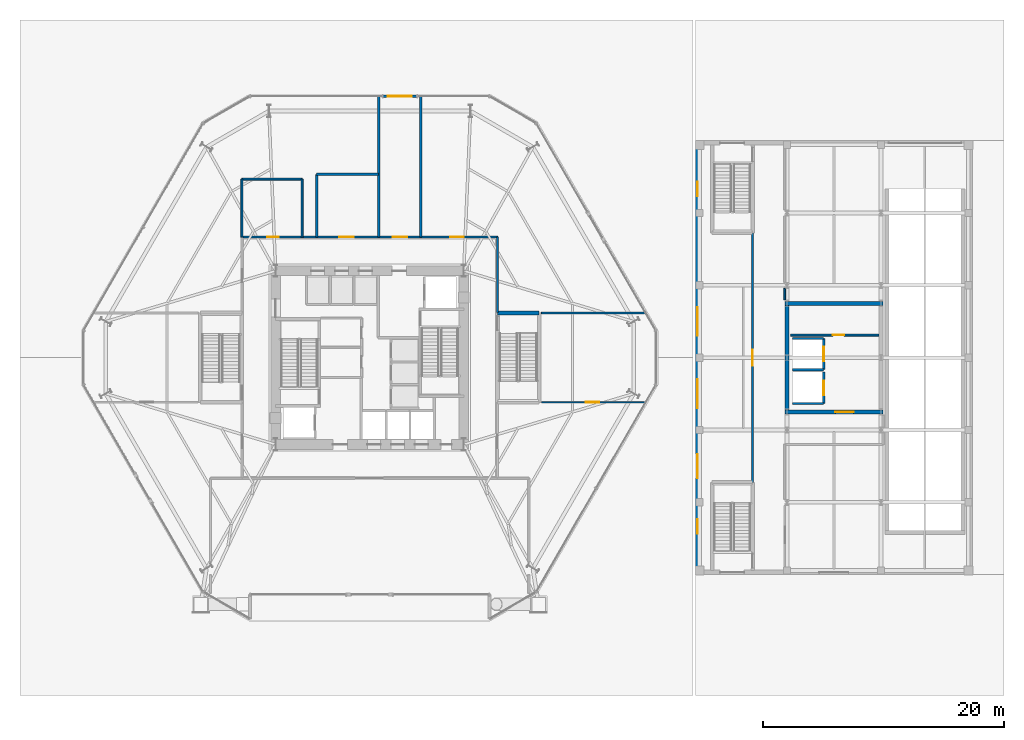
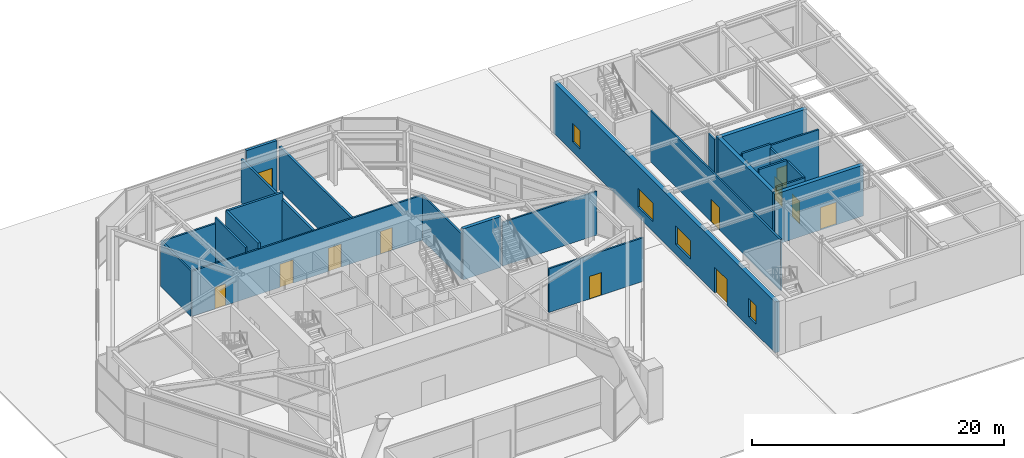
# One storey, part 19 of 26: 25 walls, 12 doors, 4 windows, 16 openings.
"""IFC4 building model written with IfcOpenShell, lengths in metres."""

from ifc_helpers import new_model, si_unit, direction, frame, frame_2d, origin, place, context, subcontext, project, spatial, rectangle, extrude, material, layer, layer_set, type_object, element, fill, save


model = new_model("IFC4")

# Units and contexts
model_context = context("Model", 3, precision=1e-05, world=origin(), true_north=direction((0.0, 1.0)))
body_context = subcontext(model_context, "Body", "Model", "MODEL_VIEW")
ifc_project = project(units=[si_unit("LENGTHUNIT", "METRE"), si_unit("AREAUNIT", "SQUARE_METRE"), si_unit("VOLUMEUNIT", "CUBIC_METRE"), si_unit("PLANEANGLEUNIT", "RADIAN"), si_unit("MASSUNIT", "GRAM", prefix="KILO")], contexts=[model_context])

# Site, building, storey
site_placement = place(None, origin())
site = spatial("IfcSite", under=ifc_project, at=site_placement, CompositionType="ELEMENT")
building_placement = place(site_placement, origin())
building = spatial("IfcBuilding", under=site, at=building_placement, Name="Kranzbogen Civic Tower", CompositionType="ELEMENT")
storey_placement = place(building_placement, origin())
storey = spatial("IfcBuildingStorey", under=building, at=storey_placement, Name="L00", CompositionType="ELEMENT", Elevation=0.0)

# Wall, openings, doors
ifc_material_1 = material(Name="Double-Stud Acoustic Gypsum Partition")
ifc_layer_1 = layer(ifc_material_1, 0.14990234375, Name="Double-Stud Acoustic Gypsum Partition")
ifc_layer_set_1 = layer_set([ifc_layer_1], Name="Double-Stud Acoustic Gypsum Partition")
wall_type_1 = type_object("IfcWallType", Name="Acoustic Corridor and Clinical Partition 150 mm", PredefinedType="PARTITIONING", material=ifc_layer_set_1)
wall_1_placement = place(storey_placement, frame((14.39990234375, 35.0, 0.0), z_axis=(0.0, 0.0, 1.0), x_axis=(1.0, 0.0, 0.0)))
wall_1 = element("IfcWall", 1, at=wall_1_placement, inside=storey, type_object=wall_type_1, Name="L00 podium concourse N wall", PredefinedType="PARTITIONING", context=body_context, shape_type="SweptSolid", body=[
    extrude(rectangle(XDim=21.2001953125, YDim=0.14990234375, at=frame_2d((10.60009765625, 0.0))), origin(), (0.0, 0.0, 1.0), 4.389892578125),
])
opening_1_placement = place(wall_1_placement, frame((12.5, 0.0, 0.0)))
opening_1 = element("IfcOpeningElement", 2, at=opening_1_placement, cuts=wall_1, Name="Opening D-EX120", PredefinedType="OPENING", context=body_context, shape_type="SweptSolid", body=[
    extrude(rectangle(XDim=1.199951171875, YDim=2.25, at=frame_2d((0.60009765625, 1.125))), frame((0.0, 0.0849609375, 0.0), z_axis=(0.0, -1.0, 0.0), x_axis=(1.0, 0.0, 0.0)), (0.0, 0.0, 1.0), 0.169921875),
])
opening_2_placement = place(wall_1_placement, frame((2.1201171875, 0.0, 0.0)))
opening_2 = element("IfcOpeningElement", 3, at=opening_2_placement, cuts=wall_1, Name="Opening D-AWC95", PredefinedType="OPENING", context=body_context, shape_type="SweptSolid", body=[
    extrude(rectangle(XDim=0.949951171875, YDim=2.10009765625, at=frame_2d((0.47509765625, 1.050048828125))), frame((0.0, 0.0849609375, 0.0), z_axis=(0.0, -1.0, 0.0), x_axis=(1.0, 0.0, 0.0)), (0.0, 0.0, 1.0), 0.169921875),
])
opening_3_placement = place(wall_1_placement, frame((8.087890625, 0.0, 0.0)))
opening_3 = element("IfcOpeningElement", 4, at=opening_3_placement, cuts=wall_1, Name="Opening D-EX120", PredefinedType="OPENING", context=body_context, shape_type="SweptSolid", body=[
    extrude(rectangle(XDim=1.199951171875, YDim=2.25, at=frame_2d((0.60009765625, 1.125))), frame((0.0, 0.0849609375, 0.0), z_axis=(0.0, -1.0, 0.0), x_axis=(1.0, 0.0, 0.0)), (0.0, 0.0, 1.0), 0.169921875),
])
opening_4_placement = place(wall_1_placement, frame((17.291015625, 0.0, 0.0)))
opening_4 = element("IfcOpeningElement", 5, at=opening_4_placement, cuts=wall_1, Name="Opening D-COR60", PredefinedType="OPENING", context=body_context, shape_type="SweptSolid", body=[
    extrude(rectangle(XDim=1.10009765625, YDim=2.199951171875, at=frame_2d((0.550048828125, 1.10009765625))), frame((0.0, 0.0849609375, 0.0), z_axis=(0.0, -1.0, 0.0), x_axis=(1.0, 0.0, 0.0)), (0.0, 0.0, 1.0), 0.169921875),
])
ifc_material_2 = material(Name="Moisture-Resistant Laminate")
door_type_1 = type_object("IfcDoorType", Name="Accessible Restroom Door 950x2100", OperationType="NOTDEFINED", PredefinedType="DOOR", material=ifc_material_2)
door_1_placement = place(opening_2_placement, origin())
door_1 = element("IfcDoor", 6, at=door_1_placement, inside=storey, type_object=door_type_1, Name="L00 Public Restroom Suite door", OperationType="SINGLE_SWING_LEFT", OverallHeight=2.10009765625, OverallWidth=0.949951171875, PredefinedType="DOOR", context=body_context, shape_type="SweptSolid", body=[
    extrude(rectangle(XDim=0.949951171875, YDim=2.10009765625, at=frame_2d((0.47509765625, 1.050048828125))), frame((0.0, 0.02490234375, 0.0), z_axis=(0.0, -1.0, 0.0), x_axis=(1.0, 0.0, 0.0)), (0.0, 0.0, 1.0), 0.050048828125),
])
fill(opening_2, door_1)
ifc_material_3 = material(Name="Oak Timber and Fire Core", Category="wood")
door_type_2 = type_object("IfcDoorType", Name="Corridor Acoustic Fire Door 1100x2200", OperationType="NOTDEFINED", PredefinedType="DOOR", material=ifc_material_3)
door_2_placement = place(opening_4_placement, origin())
door_2 = element("IfcDoor", 7, at=door_2_placement, inside=storey, type_object=door_type_2, Name="L00 Security and Visitor Accreditation door", OperationType="SINGLE_SWING_RIGHT", OverallHeight=2.199951171875, OverallWidth=1.10009765625, PredefinedType="DOOR", context=body_context, shape_type="SweptSolid", body=[
    extrude(rectangle(XDim=1.10009765625, YDim=2.199951171875, at=frame_2d((0.550048828125, 1.10009765625))), frame((0.0, 0.02490234375, 0.0), z_axis=(0.0, -1.0, 0.0), x_axis=(1.0, 0.0, 0.0)), (0.0, 0.0, 1.0), 0.050048828125),
])
fill(opening_4, door_2)
ifc_material_4 = material(Name="Steel S355", Category="steel")
door_type_3 = type_object("IfcDoorType", Name="Exit Passageway Fire Door 1200x2250", OperationType="NOTDEFINED", PredefinedType="DOOR", material=ifc_material_4)
door_3_placement = place(opening_1_placement, origin())
door_3 = element("IfcDoor", 8, at=door_3_placement, inside=storey, type_object=door_type_3, Name="L00 North exit passageway entry fire door", OperationType="SINGLE_SWING_RIGHT", OverallHeight=2.25, OverallWidth=1.199951171875, PredefinedType="DOOR", context=body_context, shape_type="SweptSolid", body=[
    extrude(rectangle(XDim=1.199951171875, YDim=2.25, at=frame_2d((0.60009765625, 1.125))), frame((0.0, 0.02490234375, 0.0), z_axis=(0.0, -1.0, 0.0), x_axis=(1.0, 0.0, 0.0)), (0.0, 0.0, 1.0), 0.050048828125),
])
fill(opening_1, door_3)
door_4_placement = place(opening_3_placement, origin())
door_4 = element("IfcDoor", 9, at=door_4_placement, inside=storey, type_object=door_type_3, Name="L00 Fire Command Room door", OperationType="SINGLE_SWING_RIGHT", OverallHeight=2.25, OverallWidth=1.199951171875, PredefinedType="DOOR", context=body_context, shape_type="SweptSolid", body=[
    extrude(rectangle(XDim=1.199951171875, YDim=2.25, at=frame_2d((0.60009765625, 1.125))), frame((0.0, 0.02490234375, 0.0), z_axis=(0.0, -1.0, 0.0), x_axis=(1.0, 0.0, 0.0)), (0.0, 0.0, 1.0), 0.050048828125),
])
fill(opening_3, door_4)

# Wall
wall_2_placement = place(storey_placement, frame((35.60009765625, 28.75, 0.0), z_axis=(0.0, 0.0, 1.0), x_axis=(0.0, 1.0, 0.0)))
element("IfcWall", 10, at=wall_2_placement, inside=storey, type_object=wall_type_1, Name="L00 podium concourse E2 wall", PredefinedType="PARTITIONING", context=body_context, shape_type="SweptSolid", body=[
    extrude(rectangle(XDim=6.25, YDim=0.14990234375, at=frame_2d((3.125, 0.0))), origin(), (0.0, 0.0, 1.0), 4.389892578125),
])

# Wall, opening, door
wall_3_placement = place(storey_placement, frame((39.22998046875, 21.300048828125, 0.0), z_axis=(0.0, 0.0, 1.0), x_axis=(1.0, 0.0, 0.0)))
wall_3 = element("IfcWall", 11, at=wall_3_placement, inside=storey, type_object=wall_type_1, Name="L00 podium partition 14", PredefinedType="PARTITIONING", context=body_context, shape_type="SweptSolid", body=[
    extrude(rectangle(XDim=8.68994140625, YDim=0.14990234375, at=frame_2d((4.344970703125, 0.0))), origin(), (0.0, 0.0, 1.0), 4.239990234375),
])
opening_5_placement = place(wall_3_placement, frame((3.7060546875, 0.0, 0.0)))
opening_5 = element("IfcOpeningElement", 12, at=opening_5_placement, cuts=wall_3, Name="Opening D-COR60", PredefinedType="OPENING", context=body_context, shape_type="SweptSolid", body=[
    extrude(rectangle(XDim=1.10009765625, YDim=2.199951171875, at=frame_2d((0.550048828125, 1.10009765625))), frame((0.0, 0.0849609375, 0.0), z_axis=(0.0, -1.0, 0.0), x_axis=(1.0, 0.0, 0.0)), (0.0, 0.0, 1.0), 0.169921875),
])
door_5_placement = place(opening_5_placement, origin())
door_5 = element("IfcDoor", 13, at=door_5_placement, inside=storey, type_object=door_type_2, Name="L00 Press Briefing Room door", OperationType="SINGLE_SWING_RIGHT", OverallHeight=2.199951171875, OverallWidth=1.10009765625, PredefinedType="DOOR", context=body_context, shape_type="SweptSolid", body=[
    extrude(rectangle(XDim=1.10009765625, YDim=2.199951171875, at=frame_2d((0.550048828125, 1.10009765625))), frame((0.0, 0.02490234375, 0.0), z_axis=(0.0, -1.0, 0.0), x_axis=(1.0, 0.0, 0.0)), (0.0, 0.0, 1.0), 0.050048828125),
])
fill(opening_5, door_5)

# Wall
wall_4_placement = place(storey_placement, frame((39.22998046875, 28.699951171875, 0.0), z_axis=(0.0, 0.0, 1.0), x_axis=(1.0, 0.0, 0.0)))
element("IfcWall", 14, at=wall_4_placement, inside=storey, type_object=wall_type_1, Name="L00 podium partition 15", PredefinedType="PARTITIONING", context=body_context, shape_type="SweptSolid", body=[
    extrude(rectangle(XDim=8.68994140625, YDim=0.14990234375, at=frame_2d((4.344970703125, 0.0))), origin(), (0.0, 0.0, 1.0), 4.239990234375),
])

# Wall, opening, door
wall_5_placement = place(storey_placement, frame((56.75, 14.64990234375, 0.0), z_axis=(0.0, 0.0, 1.0), x_axis=(0.0, 1.0, 0.0)))
wall_5 = element("IfcWall", 15, at=wall_5_placement, inside=storey, type_object=wall_type_1, Name="L00 clinical corridor W wall", PredefinedType="PARTITIONING", context=body_context, shape_type="SweptSolid", body=[
    extrude(rectangle(XDim=20.7001953125, YDim=0.14990234375, at=frame_2d((10.35009765625, 0.0))), origin(), (0.0, 0.0, 1.0), 4.93994140625),
])
opening_6_placement = place(wall_5_placement, frame((9.675048828125, 0.0, 0.0)))
opening_6 = element("IfcOpeningElement", 16, at=opening_6_placement, cuts=wall_5, Name="Opening D-CLN60", PredefinedType="OPENING", context=body_context, shape_type="SweptSolid", body=[
    extrude(rectangle(XDim=1.35009765625, YDim=2.199951171875, at=frame_2d((0.675048828125, 1.10009765625))), frame((0.0, 0.0849609375, 0.0), z_axis=(0.0, -1.0, 0.0), x_axis=(1.0, 0.0, 0.0)), (0.0, 0.0, 1.0), 0.169921875),
])
ifc_material_5 = material(Name="Pale Anodised Aluminium", Category="aluminium")
door_type_4 = type_object("IfcDoorType", Name="Clinical Wide Leaf Door 1350x2200", OperationType="NOTDEFINED", PredefinedType="DOOR", material=ifc_material_5)
door_6_placement = place(opening_6_placement, origin())
door_6 = element("IfcDoor", 17, at=door_6_placement, inside=storey, type_object=door_type_4, Name="L00 Patient Reception and Triage door", OperationType="SINGLE_SWING_LEFT", OverallHeight=2.199951171875, OverallWidth=1.35009765625, PredefinedType="DOOR", context=body_context, shape_type="SweptSolid", body=[
    extrude(rectangle(XDim=1.35009765625, YDim=2.199951171875, at=frame_2d((0.675048828125, 1.10009765625))), frame((0.0, 0.02490234375, 0.0), z_axis=(0.0, -1.0, 0.0), x_axis=(1.0, 0.0, 0.0)), (0.0, 0.0, 1.0), 0.050048828125),
])
fill(opening_6, door_6)

# Walls
wall_6_placement = place(storey_placement, frame((59.425048828125, 29.7900390625, 0.0), z_axis=(0.0, 0.0, 1.0), x_axis=(0.0, 1.0, 0.0)))
element("IfcWall", 18, at=wall_6_placement, inside=storey, type_object=wall_type_1, Name="L00 clinical corridor E2 wall part 1", PredefinedType="PARTITIONING", context=body_context, shape_type="SweptSolid", body=[
    extrude(rectangle(XDim=0.945068359375, YDim=0.14990234375, at=frame_2d((0.47265625, 0.0))), origin(), (0.0, 0.0, 1.0), 4.580078125),
])
ifc_material_6 = material(Name="Gypsum Fireboard and Concrete Block", Category="concrete")
ifc_layer_2 = layer(ifc_material_6, 0.199951171875, Name="Gypsum Fireboard and Concrete Block")
ifc_layer_set_2 = layer_set([ifc_layer_2], Name="Gypsum Fireboard and Concrete Block")
wall_type_2 = type_object("IfcWallType", Name="Fire-Rated Exit Passageway and Stair Wall 200 mm", PredefinedType="PARTITIONING", material=ifc_layer_set_2)
for number, where, z_axis, x_axis, name in (
    (19, (25.75, 35.0, 0.0), (0.0, 0.0, 1.0), (0.0, 1.0, 0.0), "L00 podium partition 04"),
    (20, (29.25, 35.0, 0.0), (0.0, 0.0, 1.0), (0.0, 1.0, 0.0), "L00 podium partition 05"),
):
    element("IfcWall", number, at=place(storey_placement, frame(where, z_axis=z_axis, x_axis=x_axis)), inside=storey, type_object=wall_type_2, Name=name, PredefinedType="PARTITIONING", context=body_context, shape_type="SweptSolid", body=[
        extrude(rectangle(XDim=11.64990234375, YDim=0.199951171875, at=frame_2d((5.824951171875, 0.0))), origin(), (0.0, 0.0, 1.0), 4.239990234375),
    ])
wall_7_placement = place(storey_placement, frame((20.60009765625, 35.0, 0.0), z_axis=(0.0, 0.0, 1.0), x_axis=(0.0, 1.0, 0.0)))
element("IfcWall", 21, at=wall_7_placement, inside=storey, type_object=wall_type_2, Name="L00 podium partition 06", PredefinedType="PARTITIONING", context=body_context, shape_type="SweptSolid", body=[
    extrude(rectangle(XDim=5.199951171875, YDim=0.199951171875, at=frame_2d((2.60009765625, 0.0))), origin(), (0.0, 0.0, 1.0), 4.93994140625),
])
wall_8_placement = place(storey_placement, frame((20.60009765625, 40.199951171875, 0.0), z_axis=(0.0, 0.0, 1.0), x_axis=(1.0, 0.0, 0.0)))
element("IfcWall", 22, at=wall_8_placement, inside=storey, type_object=wall_type_2, Name="L00 podium partition 07", PredefinedType="PARTITIONING", context=body_context, shape_type="SweptSolid", body=[
    extrude(rectangle(XDim=5.14990234375, YDim=0.199951171875, at=frame_2d((2.574951171875, 0.0))), origin(), (0.0, 0.0, 1.0), 4.93994140625),
])

# Wall, opening, door
ifc_material_7 = material(Name="Gypsum Fireboard Shaftliner")
ifc_layer_3 = layer(ifc_material_7, 0.175048828125, Name="Gypsum Fireboard Shaftliner")
ifc_layer_set_3 = layer_set([ifc_layer_3], Name="Gypsum Fireboard Shaftliner")
wall_type_3 = type_object("IfcWallType", Name="Fire-Rated Lift and Service Shaft Wall 175 mm", PredefinedType="PARTITIONING", material=ifc_layer_set_3)
wall_9_placement = place(storey_placement, frame((62.64990234375, 21.199951171875, 0.0), z_axis=(0.0, 0.0, 1.0), x_axis=(0.0, 1.0, 0.0)))
wall_9 = element("IfcWall", 23, at=wall_9_placement, inside=storey, type_object=wall_type_3, Name="L00 lift HC-L1 landing wall", PredefinedType="PARTITIONING", context=body_context, shape_type="SweptSolid", body=[
    extrude(rectangle(XDim=2.60009765625, YDim=0.175048828125, at=frame_2d((1.300048828125, 0.0))), origin(), (0.0, 0.0, 1.0), 4.93994140625),
])
opening_7_placement = place(wall_9_placement, frame((0.699951171875, 0.0, 0.0)))
opening_7 = element("IfcOpeningElement", 24, at=opening_7_placement, cuts=wall_9, Name="Opening LD-HC-L1", PredefinedType="OPENING", context=body_context, shape_type="SweptSolid", body=[
    extrude(rectangle(XDim=1.199951171875, YDim=2.199951171875, at=frame_2d((0.60009765625, 1.10009765625))), frame((0.0, 0.09765625, 0.0), z_axis=(0.0, -1.0, 0.0), x_axis=(1.0, 0.0, 0.0)), (0.0, 0.0, 1.0), 0.195068359375),
])
door_type_5 = type_object("IfcDoorType", Name="Firefighting and Stretcher Lift Sliding Landing Door 1200x2200", OperationType="DOUBLE_DOOR_SLIDING", PredefinedType="DOOR", material=ifc_material_5)
door_7_placement = place(opening_7_placement, origin())
door_7 = element("IfcDoor", 25, at=door_7_placement, inside=storey, type_object=door_type_5, Name="L00 lift HC-L1 sliding landing door", OperationType="DOUBLE_DOOR_SLIDING", OverallHeight=2.199951171875, OverallWidth=1.199951171875, PredefinedType="DOOR", context=body_context, shape_type="SweptSolid", body=[
    extrude(rectangle(XDim=1.199951171875, YDim=2.199951171875, at=frame_2d((0.60009765625, 1.10009765625))), frame((0.0, 0.02490234375, 0.0), z_axis=(0.0, -1.0, 0.0), x_axis=(1.0, 0.0, 0.0)), (0.0, 0.0, 1.0), 0.050048828125),
])
fill(opening_7, door_7)

# Wall
wall_10_placement = place(storey_placement, frame((60.050048828125, 21.199951171875, 0.0), z_axis=(0.0, 0.0, 1.0), x_axis=(1.0, 0.0, 0.0)))
element("IfcWall", 26, at=wall_10_placement, inside=storey, type_object=wall_type_3, Name="L00 lift HC-L1 side wall", PredefinedType="PARTITIONING", context=body_context, shape_type="SweptSolid", body=[
    extrude(rectangle(XDim=2.599853515625, YDim=0.175048828125, at=frame_2d((1.2998046875, 0.0))), origin(), (0.0, 0.0, 1.0), 4.93994140625),
])

# Wall, opening, door
wall_11_placement = place(storey_placement, frame((62.64990234375, 24.0, 0.0), z_axis=(0.0, 0.0, 1.0), x_axis=(0.0, 1.0, 0.0)))
wall_11 = element("IfcWall", 27, at=wall_11_placement, inside=storey, type_object=wall_type_3, Name="L00 lift HC-L2 landing wall", PredefinedType="PARTITIONING", context=body_context, shape_type="SweptSolid", body=[
    extrude(rectangle(XDim=2.60009765625, YDim=0.175048828125, at=frame_2d((1.300048828125, 0.0))), origin(), (0.0, 0.0, 1.0), 4.580078125),
])
opening_8_placement = place(wall_11_placement, frame((0.699951171875, 0.0, 0.0)))
opening_8 = element("IfcOpeningElement", 28, at=opening_8_placement, cuts=wall_11, Name="Opening LD-HC-L2", PredefinedType="OPENING", context=body_context, shape_type="SweptSolid", body=[
    extrude(rectangle(XDim=1.199951171875, YDim=2.199951171875, at=frame_2d((0.60009765625, 1.10009765625))), frame((0.0, 0.09765625, 0.0), z_axis=(0.0, -1.0, 0.0), x_axis=(1.0, 0.0, 0.0)), (0.0, 0.0, 1.0), 0.195068359375),
])
door_8_placement = place(opening_8_placement, origin())
door_8 = element("IfcDoor", 29, at=door_8_placement, inside=storey, type_object=door_type_5, Name="L00 lift HC-L2 sliding landing door", OperationType="DOUBLE_DOOR_SLIDING", OverallHeight=2.199951171875, OverallWidth=1.199951171875, PredefinedType="DOOR", context=body_context, shape_type="SweptSolid", body=[
    extrude(rectangle(XDim=1.199951171875, YDim=2.199951171875, at=frame_2d((0.60009765625, 1.10009765625))), frame((0.0, 0.02490234375, 0.0), z_axis=(0.0, -1.0, 0.0), x_axis=(1.0, 0.0, 0.0)), (0.0, 0.0, 1.0), 0.050048828125),
])
fill(opening_8, door_8)

# Walls
for number, where, z_axis, x_axis, name in (
    (30, (60.050048828125, 24.0, 0.0), (0.0, 0.0, 1.0), (1.0, 0.0, 0.0), "L00 lift HC-L2 side wall"),
    (31, (60.050048828125, 26.60009765625, 0.0), (0.0, 0.0, 1.0), (1.0, 0.0, 0.0), "L00 lift HC-L2 North shaft wall"),
):
    element("IfcWall", number, at=place(storey_placement, frame(where, z_axis=z_axis, x_axis=x_axis)), inside=storey, type_object=wall_type_3, Name=name, PredefinedType="PARTITIONING", context=body_context, shape_type="SweptSolid", body=[
        extrude(rectangle(XDim=2.599853515625, YDim=0.175048828125, at=frame_2d((1.2998046875, 0.0))), origin(), (0.0, 0.0, 1.0), 4.93994140625),
    ])

# Wall, opening, door
ifc_material_8 = material(Name="Concrete C40/50", Category="concrete")
ifc_layer_4 = layer(ifc_material_8, 0.35009765625, Name="Concrete C40/50")
ifc_layer_set_4 = layer_set([ifc_layer_4], Name="Concrete C40/50")
wall_type_4 = type_object("IfcWallType", Name="Health Centre Core Shear Wall 350 mm", PredefinedType="SHEAR", material=ifc_layer_set_4)
wall_12_placement = place(storey_placement, frame((59.425048828125, 20.5, 0.0), z_axis=(0.0, 0.0, 1.0), x_axis=(1.0, 0.0, 0.0)))
wall_12 = element("IfcWall", 32, at=wall_12_placement, inside=storey, type_object=wall_type_4, Name="L00 Health Centre core South shear wall", PredefinedType="SHEAR", context=body_context, shape_type="SweptSolid", body=[
    extrude(rectangle(XDim=8.14990234375, YDim=0.35009765625, at=frame_2d((4.074951171875, 0.0))), origin(), (0.0, 0.0, 1.0), 4.93994140625),
])
opening_9_placement = place(wall_12_placement, frame((4.199951171875, 0.0, 0.0)))
opening_9 = element("IfcOpeningElement", 33, at=opening_9_placement, cuts=wall_12, Name="Opening D-DBL15", PredefinedType="OPENING", context=body_context, shape_type="SweptSolid", body=[
    extrude(rectangle(XDim=1.5, YDim=2.199951171875, at=frame_2d((0.75, 1.10009765625))), frame((0.0, 0.18505859375, 0.0), z_axis=(0.0, -1.0, 0.0), x_axis=(1.0, 0.0, 0.0)), (0.0, 0.0, 1.0), 0.3701171875),
])
ifc_material_9 = material(Name="Anodised Bronze and Glass", Category="glass")
door_type_6 = type_object("IfcDoorType", Name="Civic Lobby Double Door 1500x2200", OperationType="DOUBLE_DOOR_SINGLE_SWING", PredefinedType="DOOR", material=ifc_material_9)
door_9_placement = place(opening_9_placement, origin())
door_9 = element("IfcDoor", 34, at=door_9_placement, inside=storey, type_object=door_type_6, Name="L00 Health Centre Lift Lobby door", OperationType="DOUBLE_DOOR_SINGLE_SWING", OverallHeight=2.199951171875, OverallWidth=1.5, PredefinedType="DOOR", context=body_context, shape_type="SweptSolid", body=[
    extrude(rectangle(XDim=1.5, YDim=2.199951171875, at=frame_2d((0.75, 1.10009765625))), frame((0.0, 0.02490234375, 0.0), z_axis=(0.0, -1.0, 0.0), x_axis=(1.0, 0.0, 0.0)), (0.0, 0.0, 1.0), 0.050048828125),
])
fill(opening_9, door_9)

# Walls
wall_13_placement = place(storey_placement, frame((67.574951171875, 29.5, 0.0), z_axis=(0.0, 0.0, 1.0), x_axis=(-1.0, 0.0, 0.0)))
element("IfcWall", 35, at=wall_13_placement, inside=storey, type_object=wall_type_4, Name="L00 Health Centre core North shear wall", PredefinedType="SHEAR", context=body_context, shape_type="SweptSolid", body=[
    extrude(rectangle(XDim=8.14990234375, YDim=0.35009765625, at=frame_2d((4.074951171875, 0.0))), origin(), (0.0, 0.0, 1.0), 4.93994140625),
])
wall_14_placement = place(storey_placement, frame((59.60009765625, 29.324951171875, 0.0), z_axis=(0.0, 0.0, 1.0), x_axis=(0.0, -1.0, 0.0)))
element("IfcWall", 36, at=wall_14_placement, inside=storey, type_object=wall_type_4, Name="L00 Health Centre core West shear wall", PredefinedType="SHEAR", context=body_context, shape_type="SweptSolid", body=[
    extrude(rectangle(XDim=8.64990234375, YDim=0.35009765625, at=frame_2d((4.324951171875, 0.0))), origin(), (0.0, 0.0, 1.0), 4.93994140625),
])

# Wall, openings, door, windows
ifc_material_10 = material(Name="Precast concrete C40/50", Category="concrete")
ifc_layer_5 = layer(ifc_material_10, 0.3798828125, Name="Precast concrete C40/50")
ifc_layer_set_5 = layer_set([ifc_layer_5], Name="Precast concrete C40/50")
wall_type_5 = type_object("IfcWallType", Name="Health Centre Insulated Precast Facade Wall 380 mm", PredefinedType="STANDARD", material=ifc_layer_set_5)
wall_15_placement = place(storey_placement, frame((52.18994140625, 7.3798828125, 0.0), z_axis=(0.0, 0.0, 1.0), x_axis=(0.0, 1.0, 0.0)))
wall_15 = element("IfcWall", 37, at=wall_15_placement, inside=storey, type_object=wall_type_5, Name="L00 Health Centre West facade wall", PredefinedType="STANDARD", context=body_context, shape_type="SweptSolid", body=[
    extrude(rectangle(XDim=35.240234375, YDim=0.3798828125, at=frame_2d((17.6201171875, 0.0))), origin(), (0.0, 0.0, 1.0), 4.93994140625),
])
opening_10_placement = place(wall_15_placement, frame((7.6201171875, 0.0, 0.0)))
opening_10 = element("IfcOpeningElement", 38, at=opening_10_placement, cuts=wall_15, Name="Opening D-EX2", PredefinedType="OPENING", context=body_context, shape_type="SweptSolid", body=[
    extrude(rectangle(XDim=2.0, YDim=2.5, at=frame_2d((1.0, 1.25))), frame((0.0, 0.199951171875, 0.0), z_axis=(0.0, -1.0, 0.0), x_axis=(1.0, 0.0, 0.0)), (0.0, 0.0, 1.0), 0.39990234375),
])
opening_11_placement = place(wall_15_placement, frame((3.02001953125, 0.0, 0.949951171875)))
opening_11 = element("IfcOpeningElement", 39, at=opening_11_placement, cuts=wall_15, Name="Opening W-HC12", PredefinedType="OPENING", context=body_context, shape_type="SweptSolid", body=[
    extrude(rectangle(XDim=1.199951171875, YDim=1.800048828125, at=frame_2d((0.60009765625, 0.89990234375))), frame((0.0, 0.199951171875, 0.0), z_axis=(0.0, -1.0, 0.0), x_axis=(1.0, 0.0, 0.0)), (0.0, 0.0, 1.0), 0.39990234375),
])
opening_12_placement = place(wall_15_placement, frame((13.419921875, 0.0, 0.949951171875)))
opening_12 = element("IfcOpeningElement", 40, at=opening_12_placement, cuts=wall_15, Name="Opening W-HC24", PredefinedType="OPENING", context=body_context, shape_type="SweptSolid", body=[
    extrude(rectangle(XDim=2.39990234375, YDim=1.800048828125, at=frame_2d((1.199951171875, 0.89990234375))), frame((0.0, 0.199951171875, 0.0), z_axis=(0.0, -1.0, 0.0), x_axis=(1.0, 0.0, 0.0)), (0.0, 0.0, 1.0), 0.39990234375),
])
opening_13_placement = place(wall_15_placement, frame((19.419921875, 0.0, 0.949951171875)))
opening_13 = element("IfcOpeningElement", 41, at=opening_13_placement, cuts=wall_15, Name="Opening W-HC24", PredefinedType="OPENING", context=body_context, shape_type="SweptSolid", body=[
    extrude(rectangle(XDim=2.39990234375, YDim=1.800048828125, at=frame_2d((1.199951171875, 0.89990234375))), frame((0.0, 0.199951171875, 0.0), z_axis=(0.0, -1.0, 0.0), x_axis=(1.0, 0.0, 0.0)), (0.0, 0.0, 1.0), 0.39990234375),
])
opening_14_placement = place(wall_15_placement, frame((31.02001953125, 0.0, 0.949951171875)))
opening_14 = element("IfcOpeningElement", 42, at=opening_14_placement, cuts=wall_15, Name="Opening W-HC12", PredefinedType="OPENING", context=body_context, shape_type="SweptSolid", body=[
    extrude(rectangle(XDim=1.199951171875, YDim=1.800048828125, at=frame_2d((0.60009765625, 0.89990234375))), frame((0.0, 0.199951171875, 0.0), z_axis=(0.0, -1.0, 0.0), x_axis=(1.0, 0.0, 0.0)), (0.0, 0.0, 1.0), 0.39990234375),
])
ifc_material_11 = material(Name="Pale Anodised Aluminium and Glass", Category="aluminium")
door_type_7 = type_object("IfcDoorType", Name="Health Centre Main Entrance Door 2000x2500", OperationType="DOUBLE_DOOR_SINGLE_SWING", PredefinedType="DOOR", material=ifc_material_11)
door_10_placement = place(opening_10_placement, origin())
door_10 = element("IfcDoor", 43, at=door_10_placement, inside=storey, type_object=door_type_7, Name="L00 Community Health Centre main plaza entrance", OperationType="DOUBLE_DOOR_SINGLE_SWING", OverallHeight=2.5, OverallWidth=2.0, PredefinedType="DOOR", context=body_context, shape_type="SweptSolid", body=[
    extrude(rectangle(XDim=2.0, YDim=2.5, at=frame_2d((1.0, 1.25))), frame((0.0, 0.02490234375, 0.0), z_axis=(0.0, -1.0, 0.0), x_axis=(1.0, 0.0, 0.0)), (0.0, 0.0, 1.0), 0.050048828125),
])
fill(opening_10, door_10)
ifc_material_12 = material(Name="Low-E Triple Glazing Glass", Category="glass")
window_type_1 = type_object("IfcWindowType", Name="Stair and End-Bay Window 1200x1800", PartitioningType="SINGLE_PANEL", PredefinedType="WINDOW", material=ifc_material_12)
window_1_placement = place(opening_11_placement, origin())
window_1 = element("IfcWindow", 44, at=window_1_placement, inside=storey, type_object=window_type_1, Name="L00 Health Centre West bay 1 window", OverallHeight=1.800048828125, OverallWidth=1.199951171875, PartitioningType="SINGLE_PANEL", PredefinedType="WINDOW", context=body_context, shape_type="SweptSolid", body=[
    extrude(rectangle(XDim=1.199951171875, YDim=1.800048828125, at=frame_2d((0.60009765625, 0.89990234375))), frame((0.0, 0.030029296875, 0.0), z_axis=(0.0, -1.0, 0.0), x_axis=(1.0, 0.0, 0.0)), (0.0, 0.0, 1.0), 0.06005859375),
])
fill(opening_11, window_1)
window_2_placement = place(opening_14_placement, origin())
window_2 = element("IfcWindow", 45, at=window_2_placement, inside=storey, type_object=window_type_1, Name="L00 Health Centre West bay 4 window", OverallHeight=1.800048828125, OverallWidth=1.199951171875, PartitioningType="SINGLE_PANEL", PredefinedType="WINDOW", context=body_context, shape_type="SweptSolid", body=[
    extrude(rectangle(XDim=1.199951171875, YDim=1.800048828125, at=frame_2d((0.60009765625, 0.89990234375))), frame((0.0, 0.030029296875, 0.0), z_axis=(0.0, -1.0, 0.0), x_axis=(1.0, 0.0, 0.0)), (0.0, 0.0, 1.0), 0.06005859375),
])
fill(opening_14, window_2)
window_type_2 = type_object("IfcWindowType", Name="Wide Clinical Window 2400x1800", PartitioningType="TRIPLE_PANEL_VERTICAL", PredefinedType="WINDOW", material=ifc_material_12)
window_3_placement = place(opening_12_placement, origin())
window_3 = element("IfcWindow", 46, at=window_3_placement, inside=storey, type_object=window_type_2, Name="L00 Health Centre West bay 2 window", OverallHeight=1.800048828125, OverallWidth=2.39990234375, PartitioningType="TRIPLE_PANEL_VERTICAL", PredefinedType="WINDOW", context=body_context, shape_type="SweptSolid", body=[
    extrude(rectangle(XDim=2.39990234375, YDim=1.800048828125, at=frame_2d((1.199951171875, 0.89990234375))), frame((0.0, 0.030029296875, 0.0), z_axis=(0.0, -1.0, 0.0), x_axis=(1.0, 0.0, 0.0)), (0.0, 0.0, 1.0), 0.06005859375),
])
fill(opening_12, window_3)
window_4_placement = place(opening_13_placement, origin())
window_4 = element("IfcWindow", 47, at=window_4_placement, inside=storey, type_object=window_type_2, Name="L00 Health Centre West bay 3 window", OverallHeight=1.800048828125, OverallWidth=2.39990234375, PartitioningType="TRIPLE_PANEL_VERTICAL", PredefinedType="WINDOW", context=body_context, shape_type="SweptSolid", body=[
    extrude(rectangle(XDim=2.39990234375, YDim=1.800048828125, at=frame_2d((1.199951171875, 0.89990234375))), frame((0.0, 0.030029296875, 0.0), z_axis=(0.0, -1.0, 0.0), x_axis=(1.0, 0.0, 0.0)), (0.0, 0.0, 1.0), 0.06005859375),
])
fill(opening_13, window_4)

# Wall, opening, door
ifc_layer_6 = layer(ifc_material_5, 0.239990234375, Name="Pale Anodised Aluminium")
ifc_layer_set_6 = layer_set([ifc_layer_6], Name="Pale Anodised Aluminium")
wall_type_6 = type_object("IfcWallType", Name="Insulated Aluminium Facade Portal Wall 240 mm", PredefinedType="STANDARD", material=ifc_layer_set_6)
wall_16_placement = place(storey_placement, frame((28.89990234375, 46.673095703125, 0.0), z_axis=(0.0, 0.0, 1.0), x_axis=(-1.0, 0.0, 0.0)))
wall_16 = element("IfcWall", 48, at=wall_16_placement, inside=storey, type_object=wall_type_6, Name="L00 exterior entrance portal wall 1", PredefinedType="STANDARD", context=body_context, shape_type="SweptSolid", body=[
    extrude(rectangle(XDim=2.7998046875, YDim=0.239990234375, at=frame_2d((1.39990234375, 0.0))), origin(), (0.0, 0.0, 1.0), 4.93994140625),
])
opening_15_placement = place(wall_16_placement, frame((0.39990234375, 0.0, 0.0)))
opening_15 = element("IfcOpeningElement", 49, at=opening_15_placement, cuts=wall_16, Name="Opening D-EXP", PredefinedType="OPENING", context=body_context, shape_type="SweptSolid", body=[
    extrude(rectangle(XDim=2.0, YDim=2.39990234375, at=frame_2d((1.0, 1.199951171875))), frame((0.0, 0.1298828125, 0.0), z_axis=(0.0, -1.0, 0.0), x_axis=(1.0, 0.0, 0.0)), (0.0, 0.0, 1.0), 0.260009765625),
])
door_type_8 = type_object("IfcDoorType", Name="Statutory Emergency Exit Discharge Door 2000x2400", OperationType="DOUBLE_DOOR_SINGLE_SWING", PredefinedType="DOOR", material=ifc_material_5)
door_11_placement = place(opening_15_placement, frame((2.0, 0.0, 0.0), z_axis=(0.0, 0.0, 1.0), x_axis=(-1.0, 0.0, 0.0)))
door_11 = element("IfcDoor", 50, at=door_11_placement, inside=storey, type_object=door_type_8, Name="L00 North exit passageway discharge door", OperationType="DOUBLE_DOOR_SINGLE_SWING", OverallHeight=2.39990234375, OverallWidth=2.0, PredefinedType="DOOR", context=body_context, shape_type="SweptSolid", body=[
    extrude(rectangle(XDim=2.0, YDim=2.39990234375, at=frame_2d((1.0, 1.199951171875))), frame((0.0, 0.02490234375, 0.0), z_axis=(0.0, -1.0, 0.0), x_axis=(1.0, 0.0, 0.0)), (0.0, 0.0, 1.0), 0.050048828125),
])
fill(opening_15, door_11)

ifc_material_13 = material(Name="Moisture-Resistant Gypsum Assembly")
ifc_layer_7 = layer(ifc_material_13, 0.159912109375, Name="Moisture-Resistant Gypsum Assembly")
ifc_layer_set_7 = layer_set([ifc_layer_7], Name="Moisture-Resistant Gypsum Assembly")
wall_type_7 = type_object("IfcWallType", Name="Sanitary and Plumbing Wet Wall 160 mm", PredefinedType="PLUMBINGWALL", material=ifc_layer_set_7)
wall_17_placement = place(storey_placement, frame((59.89990234375, 26.875, 0.0), z_axis=(0.0, 0.0, 1.0), x_axis=(1.0, 0.0, 0.0)))
wall_17 = element("IfcWall", 51, at=wall_17_placement, inside=storey, type_object=wall_type_7, Name="L00 HC Accessible WC wall", PredefinedType="PLUMBINGWALL", context=body_context, shape_type="SweptSolid", body=[
    extrude(rectangle(XDim=7.3251953125, YDim=0.159912109375, at=frame_2d((3.66259765625, 0.0))), origin(), (0.0, 0.0, 1.0), 4.580078125),
])
opening_16_placement = place(wall_17_placement, frame((3.5, 0.0, 0.0)))
opening_16 = element("IfcOpeningElement", 52, at=opening_16_placement, cuts=wall_17, Name="Opening D-AWC95", PredefinedType="OPENING", context=body_context, shape_type="SweptSolid", body=[
    extrude(rectangle(XDim=0.949951171875, YDim=2.10009765625, at=frame_2d((0.47509765625, 1.050048828125))), frame((0.0, 0.08984375, 0.0), z_axis=(0.0, -1.0, 0.0), x_axis=(1.0, 0.0, 0.0)), (0.0, 0.0, 1.0), 0.179931640625),
])
door_12_placement = place(opening_16_placement, origin())
door_12 = element("IfcDoor", 53, at=door_12_placement, inside=storey, type_object=door_type_1, Name="L00 Patient Accessible Restroom door", OperationType="SINGLE_SWING_LEFT", OverallHeight=2.10009765625, OverallWidth=0.949951171875, PredefinedType="DOOR", context=body_context, shape_type="SweptSolid", body=[
    extrude(rectangle(XDim=0.949951171875, YDim=2.10009765625, at=frame_2d((0.47509765625, 1.050048828125))), frame((0.0, 0.02490234375, 0.0), z_axis=(0.0, -1.0, 0.0), x_axis=(1.0, 0.0, 0.0)), (0.0, 0.0, 1.0), 0.050048828125),
])
fill(opening_16, door_12)

# Walls
wall_18_placement = place(storey_placement, frame((14.39990234375, 39.800048828125, 0.0), z_axis=(0.0, 0.0, 1.0), x_axis=(1.0, 0.0, 0.0)))
element("IfcWall", 54, at=wall_18_placement, inside=storey, type_object=wall_type_7, Name="L00 podium partition 01", PredefinedType="PLUMBINGWALL", context=body_context, shape_type="SweptSolid", body=[
    extrude(rectangle(XDim=5.0, YDim=0.159912109375, at=frame_2d((2.5, 0.0))), origin(), (0.0, 0.0, 1.0), 4.389892578125),
])
wall_19_placement = place(storey_placement, frame((19.39990234375, 35.0, 0.0), z_axis=(0.0, 0.0, 1.0), x_axis=(0.0, 1.0, 0.0)))
element("IfcWall", 55, at=wall_19_placement, inside=storey, type_object=wall_type_7, Name="L00 podium partition 02", PredefinedType="PLUMBINGWALL", context=body_context, shape_type="SweptSolid", body=[
    extrude(rectangle(XDim=4.800048828125, YDim=0.159912109375, at=frame_2d((2.39990234375, 0.0))), origin(), (0.0, 0.0, 1.0), 4.93994140625),
])
wall_20_placement = place(storey_placement, frame((14.39990234375, 35.0, 0.0), z_axis=(0.0, 0.0, 1.0), x_axis=(0.0, 1.0, 0.0)))
element("IfcWall", 56, at=wall_20_placement, inside=storey, type_object=wall_type_7, Name="L00 podium partition 03", PredefinedType="PLUMBINGWALL", context=body_context, shape_type="SweptSolid", body=[
    extrude(rectangle(XDim=4.800048828125, YDim=0.159912109375, at=frame_2d((2.39990234375, 0.0))), origin(), (0.0, 0.0, 1.0), 4.389892578125),
])
ifc_layer_8 = layer(ifc_material_8, 0.300048828125, Name="Concrete C40/50")
ifc_layer_set_8 = layer_set([ifc_layer_8], Name="Concrete C40/50")
wall_type_8 = type_object("IfcWallType", Name="Structural Ramp and Stair Shaft Wall 300 mm", PredefinedType="SOLIDWALL", material=ifc_layer_set_8)
wall_21_placement = place(storey_placement, frame((35.60009765625, 28.699951171875, 0.0), z_axis=(0.0, 0.0, 1.0), x_axis=(1.0, 0.0, 0.0)))
element("IfcWall", 57, at=wall_21_placement, inside=storey, type_object=wall_type_8, Name="L00 STP2 N structural stair wall", PredefinedType="SOLIDWALL", context=body_context, shape_type="SweptSolid", body=[
    extrude(rectangle(XDim=3.449951171875, YDim=0.300048828125, at=frame_2d((1.72509765625, 0.0))), origin(), (0.0, 0.0, 1.0), 4.93994140625),
])

save(model, "model.ifc")
